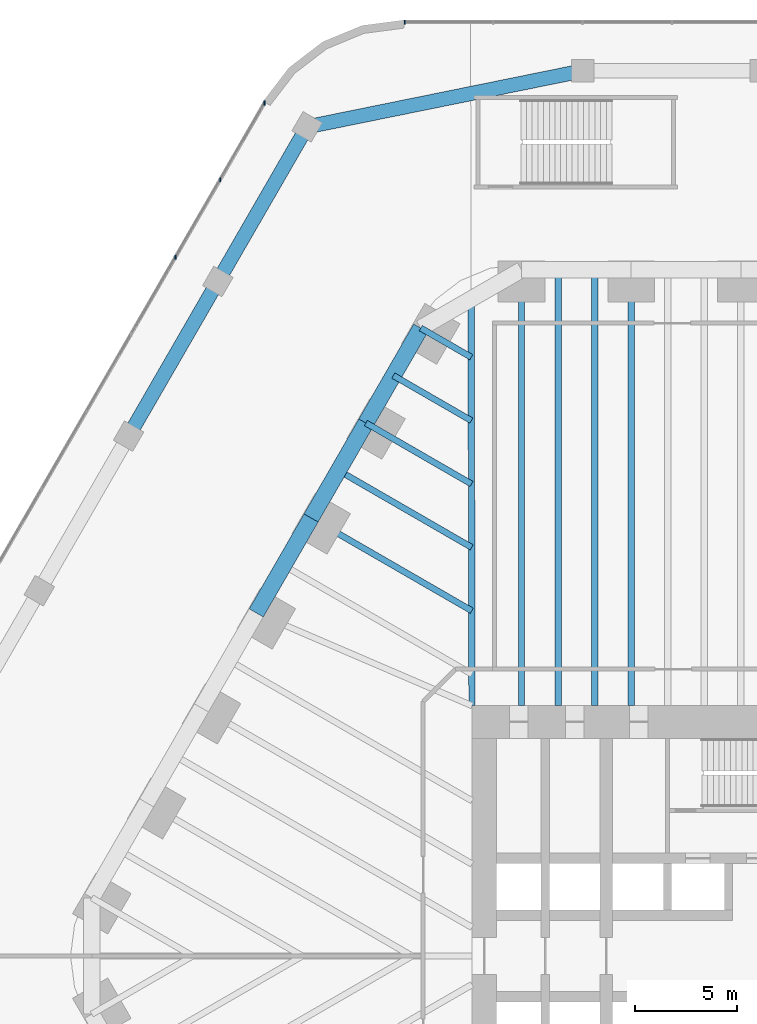
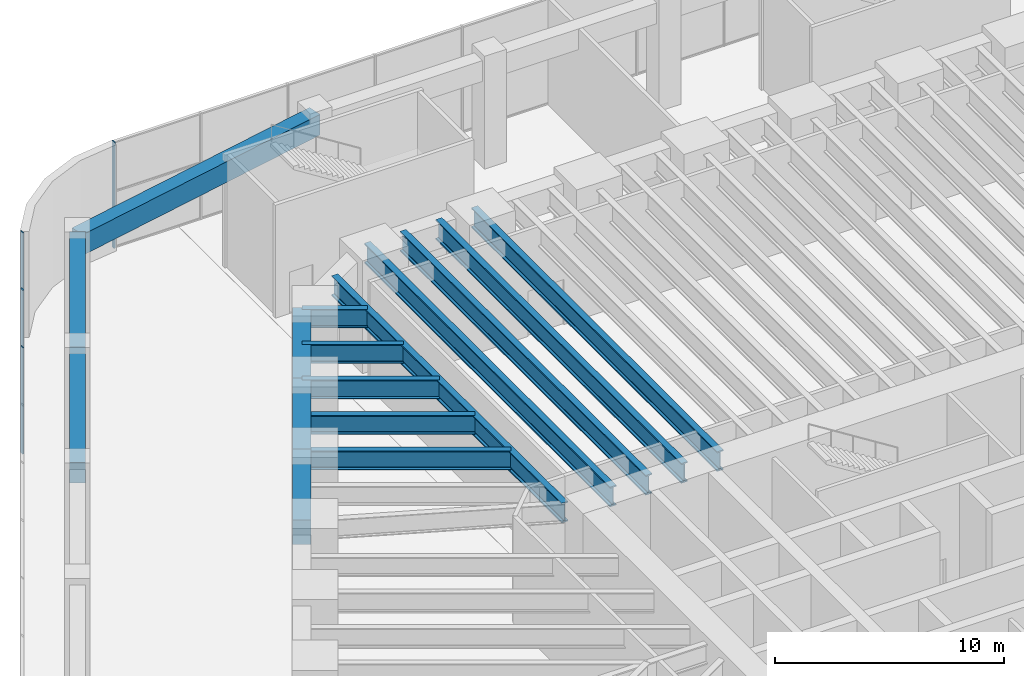
# One storey, part 16 of 31: 16 beams, 4 members, 2 elements without a shape of their own.
"""IFC4 building model written with IfcOpenShell, lengths in metres."""

from ifc_helpers import new_model, si_unit, direction, frame, origin, origin_2d, place, context, subcontext, project, spatial, rectangle, i_section, extrude, material, material_profile, profile_set, type_object, element, aggregate, save


model = new_model("IFC4")

# Units and contexts
model_context = context("Model", 3, precision=1e-05, world=origin(), true_north=direction((0.0, 1.0)))
body_context = subcontext(model_context, "Body", "Model", "MODEL_VIEW")
ifc_project = project(units=[si_unit("LENGTHUNIT", "METRE"), si_unit("AREAUNIT", "SQUARE_METRE"), si_unit("VOLUMEUNIT", "CUBIC_METRE"), si_unit("PLANEANGLEUNIT", "RADIAN"), si_unit("MASSUNIT", "GRAM", prefix="KILO")], contexts=[model_context])

# Site, building, storey
site_placement = place(None, origin())
site = spatial("IfcSite", under=ifc_project, at=site_placement, CompositionType="ELEMENT")
building_placement = place(site_placement, origin())
building = spatial("IfcBuilding", under=site, at=building_placement, Name="Tarfa Lantern Tower", CompositionType="ELEMENT")
storey_placement = place(building_placement, frame((0.0, 0.0, 7.0)))
storey = spatial("IfcBuildingStorey", under=building, at=storey_placement, Name="L01", CompositionType="ELEMENT", Elevation=7.0)

# Curtain wall, member
ifc_material_1 = material(Name="Aluminium framed curtain wall", Category="aluminium")
curtain_wall_type = type_object("IfcCurtainWallType", Name="CW7 PODIUM GLAZING 5650", PredefinedType="USERDEFINED", material=ifc_material_1)
curtain_wall_1_placement = place(storey_placement, origin())
curtain_wall_1 = element("IfcCurtainWall", 1, at=curtain_wall_1_placement, inside=storey, type_object=curtain_wall_type, Name="CW7 N L01", ObjectType="CURTAIN WALL", PredefinedType="USERDEFINED")
ifc_material_2 = material(Name="Aluminium mullion", Category="aluminium")
ifc_material_profile_1 = material_profile(ifc_material_2, rectangle(XDim=0.06494140625, YDim=0.199951171875, at=origin_2d()), Name="AL MULLION 65x200")
ifc_profile_set_1 = profile_set([ifc_material_profile_1], Name="Aluminium mullion")
member_type = type_object("IfcMemberType", Name="CWM1 MULLION 65x200", PredefinedType="MULLION", material=ifc_profile_set_1)
member_1_placement = place(storey_placement, frame((-21.90673828125, 45.89990234375, 0.0), z_axis=(0.0, 0.0, 1.0), x_axis=(1.0, 0.0, 0.0)))
member_1 = element("IfcMember", 2, at=member_1_placement, type_object=member_type, Name="CW7 mullion 11", PredefinedType="MULLION", context=body_context, shape_type="SweptSolid", body=[
    extrude(rectangle(XDim=0.06494140625, YDim=0.199951171875, at=origin_2d()), origin(), (0.0, 0.0, 1.0), 5.64990234375),
])
aggregate(curtain_wall_1, [member_1])

# Curtain wall, members
curtain_wall_2_placement = place(storey_placement, origin())
curtain_wall_2 = element("IfcCurtainWall", 3, at=curtain_wall_2_placement, inside=storey, type_object=curtain_wall_type, Name="CW7 NW L01", ObjectType="CURTAIN WALL", PredefinedType="USERDEFINED")
member_2_placement = place(storey_placement, frame((-28.797119140625, 41.921875, 0.0), z_axis=(0.0, 0.0, 1.0), x_axis=(1.0, 0.0, 0.0)))
member_2 = element("IfcMember", 4, at=member_2_placement, type_object=member_type, Name="CW7 mullion 1", PredefinedType="MULLION", context=body_context, shape_type="SweptSolid", body=[
    extrude(rectangle(XDim=0.06494140625, YDim=0.199951171875, at=origin_2d()), origin(), (0.0, 0.0, 1.0), 5.64990234375),
])
member_3_placement = place(storey_placement, frame((-30.974853515625, 38.14990234375, 0.0), z_axis=(0.0, 0.0, 1.0), x_axis=(1.0, 0.0, 0.0)))
member_3 = element("IfcMember", 5, at=member_3_placement, type_object=member_type, Name="CW7 mullion 2", PredefinedType="MULLION", context=body_context, shape_type="SweptSolid", body=[
    extrude(rectangle(XDim=0.06494140625, YDim=0.199951171875, at=origin_2d()), origin(), (0.0, 0.0, 1.0), 5.64990234375),
])
member_4_placement = place(storey_placement, frame((-33.168701171875, 34.35009765625, 0.0), z_axis=(0.0, 0.0, 1.0), x_axis=(1.0, 0.0, 0.0)))
member_4 = element("IfcMember", 6, at=member_4_placement, type_object=member_type, Name="CW7 mullion 3", PredefinedType="MULLION", context=body_context, shape_type="SweptSolid", body=[
    extrude(rectangle(XDim=0.06494140625, YDim=0.199951171875, at=origin_2d()), origin(), (0.0, 0.0, 1.0), 5.64990234375),
])
aggregate(curtain_wall_2, [member_2, member_3, member_4])

# Beams
ifc_material_3 = material(Name="Concrete C80/95", Category="concrete")
ifc_material_profile_2 = material_profile(ifc_material_3, rectangle(XDim=0.800048828125, YDim=1.300048828125, at=origin_2d()), Name="RC 800x1300")
ifc_profile_set_2 = profile_set([ifc_material_profile_2], Name="Concrete C80/95")
beam_type_1 = type_object("IfcBeamType", Name="EB1 RC 800x1300", PredefinedType="SPANDREL", material=ifc_profile_set_2)
for number, where, z_axis, x_axis, name in (
    (7, (-21.119384765625, 30.860107421875, 5.0), (-0.499998287579, -0.866026392449, 0.0), (0.866026392449, -0.499998287579, 0.0), "Edge beam NW0"),
    (8, (-23.813720703125, 26.193359375, 5.0), (-0.499998287579, -0.866026392449, 0.0), (0.866026392449, -0.499998287579, 0.0), "Edge beam NW1"),
):
    element("IfcBeam", number, at=place(storey_placement, frame(where, z_axis=z_axis, x_axis=x_axis)), inside=storey, type_object=beam_type_1, Name=name, PredefinedType="SPANDREL", context=body_context, shape_type="SweptSolid", body=[
        extrude(rectangle(XDim=0.800048828125, YDim=1.300048828125, at=origin_2d()), origin(), (0.0, 0.0, 1.0), 5.388671875),
    ])
beam_1_placement = place(storey_placement, frame((-26.508056640625, 21.526611328125, 5.0), z_axis=(-0.500017906299, -0.866015065331, 0.0), x_axis=(0.866015065331, -0.500017906299, 0.0)))
element("IfcBeam", 9, at=beam_1_placement, inside=storey, type_object=beam_type_1, Name="Edge beam NW2", PredefinedType="SPANDREL", context=body_context, shape_type="SweptSolid", body=[
    extrude(rectangle(XDim=0.800048828125, YDim=1.300048828125, at=origin_2d()), origin(), (0.0, 0.0, 1.0), 5.388427734375),
])
ifc_material_profile_3 = material_profile(ifc_material_3, rectangle(XDim=0.699951171875, YDim=1.10009765625, at=origin_2d()), Name="RC 700x1100")
ifc_profile_set_3 = profile_set([ifc_material_profile_3], Name="Concrete C80/95")
beam_type_2 = type_object("IfcBeamType", Name="PB1 RC 700x1100", PredefinedType="BEAM", material=ifc_profile_set_3)
beam_2_placement = place(storey_placement, frame((-13.16357421875, 43.5, 5.10009765625), z_axis=(-0.979988342999, -0.199054885863, 0.0), x_axis=(0.199054885863, -0.979988342999, 0.0)))
element("IfcBeam", 10, at=beam_2_placement, inside=storey, type_object=beam_type_2, Name="Podium ring beam N4", PredefinedType="BEAM", context=body_context, shape_type="SweptSolid", body=[
    extrude(rectangle(XDim=0.699951171875, YDim=1.10009765625, at=origin_2d()), origin(), (0.0, 0.0, 1.0), 13.815185546875),
])
beam_3_placement = place(storey_placement, frame((-26.702392578125, 40.75, 5.10009765625), z_axis=(-0.50000179687, -0.866024366359, 0.0), x_axis=(0.866024366359, -0.50000179687, 0.0)))
element("IfcBeam", 11, at=beam_3_placement, inside=storey, type_object=beam_type_2, Name="Podium ring beam NW0", PredefinedType="BEAM", context=body_context, shape_type="SweptSolid", body=[
    extrude(rectangle(XDim=0.699951171875, YDim=1.10009765625, at=origin_2d()), origin(), (0.0, 0.0, 1.0), 8.77587890625),
])
beam_4_placement = place(storey_placement, frame((-31.09033203125, 33.14990234375, 5.10009765625), z_axis=(-0.500013843384, -0.866017411155, 0.0), x_axis=(0.866017411155, -0.500013843384, 0.0)))
element("IfcBeam", 12, at=beam_4_placement, inside=storey, type_object=beam_type_2, Name="Podium ring beam NW1", PredefinedType="BEAM", context=body_context, shape_type="SweptSolid", body=[
    extrude(rectangle(XDim=0.699951171875, YDim=1.10009765625, at=origin_2d()), origin(), (0.0, 0.0, 1.0), 8.775634765625),
])
ifc_material_4 = material(Name="Steel S460M", Category="steel")
ifc_material_profile_4 = material_profile(ifc_material_4, i_section(OverallWidth=0.302001953125, OverallDepth=1.008056640625, WebThickness=0.02099609375, FlangeThickness=0.0400390625, FilletRadius=0.030029296875, at=origin_2d()), Name="UB1016x305x349")
ifc_profile_set_4 = profile_set([ifc_material_profile_4], Name="Steel S460M")
beam_type_3 = type_object("IfcBeamType", Name="UB1016x305x349", PredefinedType="BEAM", material=ifc_profile_set_4)
beam_5_placement = place(storey_placement, frame((-21.119384765625, 30.860107421875, 5.14599609375), z_axis=(0.866012580594, -0.500022209759, 0.0), x_axis=(0.500022209759, 0.866012580594, 0.0)))
element("IfcBeam", 13, at=beam_5_placement, inside=storey, type_object=beam_type_3, Name="Floor beam NW0", PredefinedType="BEAM", context=body_context, shape_type="SweptSolid", body=[
    extrude(i_section(OverallWidth=0.302001953125, OverallDepth=1.008056640625, WebThickness=0.02099609375, FlangeThickness=0.0400390625, FilletRadius=0.030029296875, at=origin_2d()), origin(), (0.0, 0.0, 1.0), 2.866943359375),
])
beam_6_placement = place(storey_placement, frame((-23.813720703125, 26.193359375, 5.14599609375), z_axis=(0.866015997389, -0.500016292001, 0.0), x_axis=(0.500016292001, 0.866015997389, 0.0)))
element("IfcBeam", 14, at=beam_6_placement, inside=storey, type_object=beam_type_3, Name="Floor beam NW1", PredefinedType="BEAM", context=body_context, shape_type="SweptSolid", body=[
    extrude(i_section(OverallWidth=0.302001953125, OverallDepth=1.008056640625, WebThickness=0.02099609375, FlangeThickness=0.0400390625, FilletRadius=0.030029296875, at=origin_2d()), origin(), (0.0, 0.0, 1.0), 5.993408203125),
])
beam_7_placement = place(storey_placement, frame((-26.508056640625, 21.526611328125, 5.14599609375), z_axis=(0.866035355799, -0.49998276221, 0.0), x_axis=(0.49998276221, 0.866035355799, 0.0)))
element("IfcBeam", 15, at=beam_7_placement, inside=storey, type_object=beam_type_3, Name="Floor beam NW2", PredefinedType="BEAM", context=body_context, shape_type="SweptSolid", body=[
    extrude(i_section(OverallWidth=0.302001953125, OverallDepth=1.008056640625, WebThickness=0.02099609375, FlangeThickness=0.0400390625, FilletRadius=0.030029296875, at=origin_2d()), origin(), (0.0, 0.0, 1.0), 9.119873046875),
])
beam_8_placement = place(storey_placement, frame((-22.466552734375, 28.526611328125, 5.14599609375), z_axis=(0.866026823135, -0.499997541604, 0.0), x_axis=(0.499997541604, 0.866026823135, 0.0)))
element("IfcBeam", 16, at=beam_8_placement, inside=storey, type_object=beam_type_3, Name="Floor beam NW0M", PredefinedType="BEAM", context=body_context, shape_type="SweptSolid", body=[
    extrude(i_section(OverallWidth=0.302001953125, OverallDepth=1.008056640625, WebThickness=0.02099609375, FlangeThickness=0.0400390625, FilletRadius=0.030029296875, at=origin_2d()), origin(), (0.0, 0.0, 1.0), 4.43017578125),
])
beam_9_placement = place(storey_placement, frame((-25.160888671875, 23.860107421875, 5.14599609375), z_axis=(0.866009650502, -0.500027284493, 0.0), x_axis=(0.500027284493, 0.866009650502, 0.0)))
element("IfcBeam", 17, at=beam_9_placement, inside=storey, type_object=beam_type_3, Name="Floor beam NW1M", PredefinedType="BEAM", context=body_context, shape_type="SweptSolid", body=[
    extrude(i_section(OverallWidth=0.302001953125, OverallDepth=1.008056640625, WebThickness=0.02099609375, FlangeThickness=0.0400390625, FilletRadius=0.030029296875, at=origin_2d()), origin(), (0.0, 0.0, 1.0), 7.556640625),
])
ifc_material_profile_5 = material_profile(ifc_material_4, i_section(OverallWidth=0.314208984375, OverallDepth=1.055908203125, WebThickness=0.035888671875, FlangeThickness=0.06396484375, FilletRadius=0.030029296875, at=origin_2d()), Name="UB1016x305x584")
ifc_profile_set_5 = profile_set([ifc_material_profile_5], Name="Steel S460M")
beam_type_4 = type_object("IfcBeamType", Name="UB1016x305x584", PredefinedType="BEAM", material=ifc_profile_set_5)
beam_10_placement = place(storey_placement, frame((-18.60009765625, 12.300048828125, 5.1220703125), z_axis=(-0.00212508222, 0.99999774201, 0.0), x_axis=(-0.99999774201, -0.00212508222, 0.0)))
element("IfcBeam", 18, at=beam_10_placement, inside=storey, type_object=beam_type_4, Name="Hip girder NW", PredefinedType="BEAM", context=body_context, shape_type="SweptSolid", body=[
    extrude(i_section(OverallWidth=0.314208984375, OverallDepth=1.055908203125, WebThickness=0.035888671875, FlangeThickness=0.06396484375, FilletRadius=0.030029296875, at=origin_2d()), origin(), (0.0, 0.0, 1.0), 19.989990234375),
])
for number, where, z_axis, x_axis, name in (
    (19, (-10.777099609375, 33.719970703125, 5.1220703125), (0.0, -1.0, 0.0), (1.0, 0.0, 0.0), "Floor beam N5"),
    (20, (-16.165771484375, 33.719970703125, 5.1220703125), (0.0, -1.0, 0.0), (1.0, 0.0, 0.0), "Floor beam N6"),
    (21, (-12.573486328125, 33.719970703125, 5.1220703125), (0.0, -1.0, 0.0), (1.0, 0.0, 0.0), "Floor beam N5M1"),
    (22, (-14.36962890625, 33.719970703125, 5.1220703125), (0.0, -1.0, 0.0), (1.0, 0.0, 0.0), "Floor beam N5M2"),
):
    element("IfcBeam", number, at=place(storey_placement, frame(where, z_axis=z_axis, x_axis=x_axis)), inside=storey, type_object=beam_type_4, Name=name, PredefinedType="BEAM", context=body_context, shape_type="SweptSolid", body=[
        extrude(i_section(OverallWidth=0.314208984375, OverallDepth=1.055908203125, WebThickness=0.035888671875, FlangeThickness=0.06396484375, FilletRadius=0.030029296875, at=origin_2d()), origin(), (0.0, 0.0, 1.0), 21.419921875),
    ])

save(model, "model.ifc")
